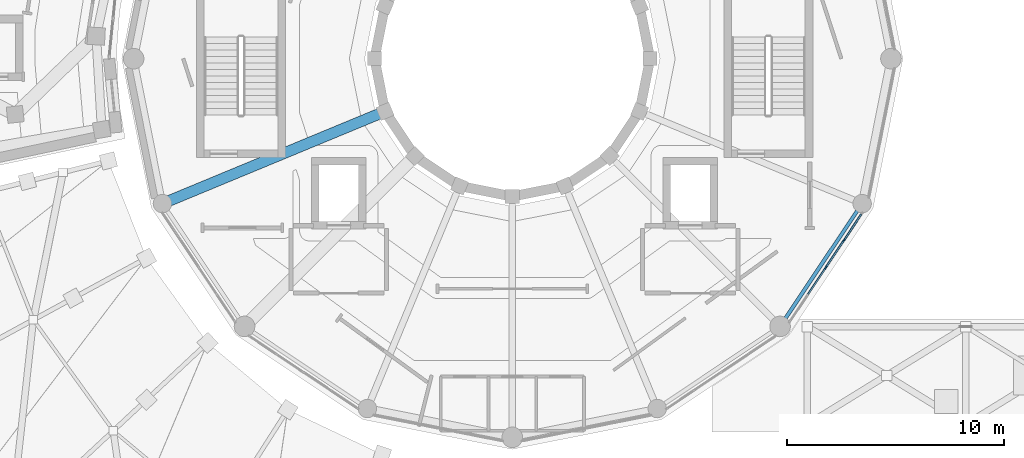
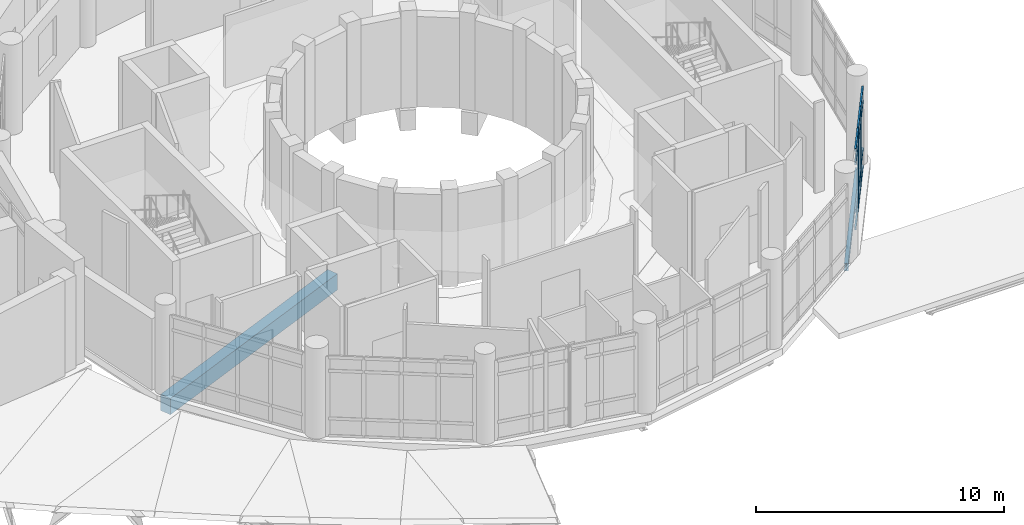
# One storey, part 10 of 75: 14 members, 2 beams, 1 element without a shape of its own.
"""IFC4 building model written with IfcOpenShell, lengths in metres."""

from ifc_helpers import new_model, si_unit, direction, frame, origin, origin_2d, place, context, subcontext, project, spatial, rectangle, i_section, extrude, material, material_profile, profile_set, type_object, element, aggregate, save


model = new_model("IFC4")

# Units and contexts
model_context = context("Model", 3, precision=1e-05, world=origin(), true_north=direction((0.0, 1.0)))
body_context = subcontext(model_context, "Body", "Model", "MODEL_VIEW")
ifc_project = project(units=[si_unit("LENGTHUNIT", "METRE"), si_unit("AREAUNIT", "SQUARE_METRE"), si_unit("VOLUMEUNIT", "CUBIC_METRE"), si_unit("PLANEANGLEUNIT", "RADIAN"), si_unit("MASSUNIT", "GRAM", prefix="KILO")], contexts=[model_context])

# Site, building, storey
site_placement = place(None, origin())
site = spatial("IfcSite", under=ifc_project, at=site_placement, CompositionType="ELEMENT")
building_placement = place(site_placement, origin())
building = spatial("IfcBuilding", under=site, at=building_placement, Name="Soyqirgoq Riverine Aquarium", CompositionType="ELEMENT")
storey_placement = place(building_placement, frame((0.0, 0.0, 10.199951171875)))
storey = spatial("IfcBuildingStorey", under=building, at=storey_placement, Name="L03", CompositionType="ELEMENT", Elevation=10.199951171875)

# Curtain wall, members
ifc_material_1 = material(Name="Anodised aluminium thermally broken triple low-E glazing", Category="aluminium")
curtain_wall_type = type_object("IfcCurtainWallType", Name="CW_DrumGallery_Unitised", PredefinedType="NOTDEFINED", material=ifc_material_1)
curtain_wall_placement = place(storey_placement, origin())
curtain_wall = element("IfcCurtainWall", 1, at=curtain_wall_placement, inside=storey, type_object=curtain_wall_type, Name="V1 L03 Curtain Wall 067", PredefinedType="NOTDEFINED")
ifc_material_2 = material(Name="Anodised aluminium 6063-T6", Category="aluminium")
ifc_material_profile_1 = material_profile(ifc_material_2, rectangle(XDim=0.06494140625, YDim=0.179931640625, at=origin_2d()), Name="ALU-M 65x180")
ifc_profile_set_1 = profile_set([ifc_material_profile_1], Name="Anodised aluminium 6063-T6")
member_type_1 = type_object("IfcMemberType", Name="CWMullion_65x180", PredefinedType="MULLION", material=ifc_profile_set_1)
member_1_placement = place(storey_placement, frame((70.450439453125, 47.379638671875, 0.0), z_axis=(0.0, 0.0, 1.0), x_axis=(-0.831468565541, 0.555571799605, 0.0)))
member_1 = element("IfcMember", 2, at=member_1_placement, type_object=member_type_1, Name="CW-01 mullion 3", PredefinedType="MULLION", context=body_context, shape_type="SweptSolid", body=[
    extrude(rectangle(XDim=0.06494140625, YDim=0.179931640625, at=origin_2d()), origin(), (0.0, 0.0, 1.0), 3.949951171875),
])
member_2_placement = place(storey_placement, frame((71.284912109375, 48.62841796875, 0.0), z_axis=(0.0, 0.0, 1.0), x_axis=(-0.831468565541, 0.555571799605, 0.0)))
member_2 = element("IfcMember", 3, at=member_2_placement, type_object=member_type_1, Name="CW-01 mullion 4", PredefinedType="MULLION", context=body_context, shape_type="SweptSolid", body=[
    extrude(rectangle(XDim=0.06494140625, YDim=0.179931640625, at=origin_2d()), origin(), (0.0, 0.0, 1.0), 3.949951171875),
])
ifc_material_3 = material(Name="Anodised aluminium 6063-T6", Category="aluminium")
ifc_material_profile_2 = material_profile(ifc_material_3, rectangle(XDim=0.074951171875, YDim=0.14990234375, at=origin_2d()), Name="ALU-T 75x150")
ifc_profile_set_2 = profile_set([ifc_material_profile_2], Name="Anodised aluminium 6063-T6")
member_type_2 = type_object("IfcMemberType", Name="CWTransom_75x150", PredefinedType="USERDEFINED", material=ifc_profile_set_2)
member_3_placement = place(storey_placement, frame((69.634033203125, 46.15771484375, 0.03759765625), z_axis=(0.55556245102, 0.831474812016, 0.0), x_axis=(-0.831474812016, 0.55556245102, 0.0)))
member_3 = element("IfcMember", 4, at=member_3_placement, type_object=member_type_2, Name="CW-01 transom 2.1", ObjectType="TRANSOM", PredefinedType="USERDEFINED", context=body_context, shape_type="SweptSolid", body=[
    extrude(rectangle(XDim=0.074951171875, YDim=0.14990234375, at=origin_2d()), origin(), (0.0, 0.0, 1.0), 1.43701171875),
])
member_4_placement = place(storey_placement, frame((69.634033203125, 46.15771484375, 0.900146484375), z_axis=(0.55556245102, 0.831474812016, 0.0), x_axis=(-0.831474812016, 0.55556245102, 0.0)))
member_4 = element("IfcMember", 5, at=member_4_placement, type_object=member_type_2, Name="CW-01 transom 2.2", ObjectType="TRANSOM", PredefinedType="USERDEFINED", context=body_context, shape_type="SweptSolid", body=[
    extrude(rectangle(XDim=0.074951171875, YDim=0.14990234375, at=origin_2d()), origin(), (0.0, 0.0, 1.0), 1.43701171875),
])
member_5_placement = place(storey_placement, frame((69.634033203125, 46.15771484375, 3.25), z_axis=(0.55556245102, 0.831474812016, 0.0), x_axis=(-0.831474812016, 0.55556245102, 0.0)))
member_5 = element("IfcMember", 6, at=member_5_placement, type_object=member_type_2, Name="CW-01 transom 2.3", ObjectType="TRANSOM", PredefinedType="USERDEFINED", context=body_context, shape_type="SweptSolid", body=[
    extrude(rectangle(XDim=0.074951171875, YDim=0.14990234375, at=origin_2d()), origin(), (0.0, 0.0, 1.0), 1.43701171875),
])
member_6_placement = place(storey_placement, frame((69.634033203125, 46.15771484375, 3.91259765625), z_axis=(0.55556245102, 0.831474812016, 0.0), x_axis=(-0.831474812016, 0.55556245102, 0.0)))
member_6 = element("IfcMember", 7, at=member_6_placement, type_object=member_type_2, Name="CW-01 transom 2.4", ObjectType="TRANSOM", PredefinedType="USERDEFINED", context=body_context, shape_type="SweptSolid", body=[
    extrude(rectangle(XDim=0.074951171875, YDim=0.14990234375, at=origin_2d()), origin(), (0.0, 0.0, 1.0), 1.43701171875),
])
member_7_placement = place(storey_placement, frame((70.468505859375, 47.406494140625, 0.03759765625), z_axis=(0.55556245102, 0.831474812016, 0.0), x_axis=(-0.831474812016, 0.55556245102, 0.0)))
member_7 = element("IfcMember", 8, at=member_7_placement, type_object=member_type_2, Name="CW-01 transom 3.1", ObjectType="TRANSOM", PredefinedType="USERDEFINED", context=body_context, shape_type="SweptSolid", body=[
    extrude(rectangle(XDim=0.074951171875, YDim=0.14990234375, at=origin_2d()), origin(), (0.0, 0.0, 1.0), 1.43701171875),
])
member_8_placement = place(storey_placement, frame((70.468505859375, 47.406494140625, 0.900146484375), z_axis=(0.55556245102, 0.831474812016, 0.0), x_axis=(-0.831474812016, 0.55556245102, 0.0)))
member_8 = element("IfcMember", 9, at=member_8_placement, type_object=member_type_2, Name="CW-01 transom 3.2", ObjectType="TRANSOM", PredefinedType="USERDEFINED", context=body_context, shape_type="SweptSolid", body=[
    extrude(rectangle(XDim=0.074951171875, YDim=0.14990234375, at=origin_2d()), origin(), (0.0, 0.0, 1.0), 1.43701171875),
])
member_9_placement = place(storey_placement, frame((70.468505859375, 47.406494140625, 3.25), z_axis=(0.55556245102, 0.831474812016, 0.0), x_axis=(-0.831474812016, 0.55556245102, 0.0)))
member_9 = element("IfcMember", 10, at=member_9_placement, type_object=member_type_2, Name="CW-01 transom 3.3", ObjectType="TRANSOM", PredefinedType="USERDEFINED", context=body_context, shape_type="SweptSolid", body=[
    extrude(rectangle(XDim=0.074951171875, YDim=0.14990234375, at=origin_2d()), origin(), (0.0, 0.0, 1.0), 1.43701171875),
])
member_10_placement = place(storey_placement, frame((70.468505859375, 47.406494140625, 3.91259765625), z_axis=(0.55556245102, 0.831474812016, 0.0), x_axis=(-0.831474812016, 0.55556245102, 0.0)))
member_10 = element("IfcMember", 11, at=member_10_placement, type_object=member_type_2, Name="CW-01 transom 3.4", ObjectType="TRANSOM", PredefinedType="USERDEFINED", context=body_context, shape_type="SweptSolid", body=[
    extrude(rectangle(XDim=0.074951171875, YDim=0.14990234375, at=origin_2d()), origin(), (0.0, 0.0, 1.0), 1.43701171875),
])
member_11_placement = place(storey_placement, frame((71.302978515625, 48.655517578125, 0.03759765625), z_axis=(0.555582440288, 0.831461455537, 0.0), x_axis=(-0.831461455537, 0.555582440288, 0.0)))
member_11 = element("IfcMember", 12, at=member_11_placement, type_object=member_type_2, Name="CW-01 transom 4.1", ObjectType="TRANSOM", PredefinedType="USERDEFINED", context=body_context, shape_type="SweptSolid", body=[
    extrude(rectangle(XDim=0.074951171875, YDim=0.14990234375, at=origin_2d()), origin(), (0.0, 0.0, 1.0), 1.404541015625),
])
member_12_placement = place(storey_placement, frame((71.302978515625, 48.655517578125, 0.900146484375), z_axis=(0.555582440288, 0.831461455537, 0.0), x_axis=(-0.831461455537, 0.555582440288, 0.0)))
member_12 = element("IfcMember", 13, at=member_12_placement, type_object=member_type_2, Name="CW-01 transom 4.2", ObjectType="TRANSOM", PredefinedType="USERDEFINED", context=body_context, shape_type="SweptSolid", body=[
    extrude(rectangle(XDim=0.074951171875, YDim=0.14990234375, at=origin_2d()), origin(), (0.0, 0.0, 1.0), 1.404541015625),
])
member_13_placement = place(storey_placement, frame((71.302978515625, 48.655517578125, 3.25), z_axis=(0.555582440288, 0.831461455537, 0.0), x_axis=(-0.831461455537, 0.555582440288, 0.0)))
member_13 = element("IfcMember", 14, at=member_13_placement, type_object=member_type_2, Name="CW-01 transom 4.3", ObjectType="TRANSOM", PredefinedType="USERDEFINED", context=body_context, shape_type="SweptSolid", body=[
    extrude(rectangle(XDim=0.074951171875, YDim=0.14990234375, at=origin_2d()), origin(), (0.0, 0.0, 1.0), 1.404541015625),
])
member_14_placement = place(storey_placement, frame((71.302978515625, 48.655517578125, 3.91259765625), z_axis=(0.555582440288, 0.831461455537, 0.0), x_axis=(-0.831461455537, 0.555582440288, 0.0)))
member_14 = element("IfcMember", 15, at=member_14_placement, type_object=member_type_2, Name="CW-01 transom 4.4", ObjectType="TRANSOM", PredefinedType="USERDEFINED", context=body_context, shape_type="SweptSolid", body=[
    extrude(rectangle(XDim=0.074951171875, YDim=0.14990234375, at=origin_2d()), origin(), (0.0, 0.0, 1.0), 1.404541015625),
])
aggregate(curtain_wall, [member_1, member_2, member_3, member_4, member_5, member_6, member_7, member_8, member_9, member_10, member_11, member_12, member_13, member_14])

# Beams
ifc_material_4 = material(Name="Concrete C40/50", Category="concrete")
ifc_material_profile_3 = material_profile(ifc_material_4, rectangle(XDim=0.5, YDim=0.800048828125, at=origin_2d()), Name="RC 500x800")
ifc_profile_set_3 = profile_set([ifc_material_profile_3], Name="Concrete C40/50")
beam_type_1 = type_object("IfcBeamType", Name="Girder_RC_500x800", PredefinedType="BEAM", material=ifc_profile_set_3)
beam_1_placement = place(storey_placement, frame((50.124267578125, 54.566162109375, -0.75), z_axis=(-0.923879335189, -0.382683908742, 0.0), x_axis=(0.382683908742, -0.923879335189, 0.0)))
element("IfcBeam", 16, at=beam_1_placement, inside=storey, type_object=beam_type_1, Name="V1 L03 Gallery Radial Beam 0076", PredefinedType="BEAM", context=body_context, shape_type="SweptSolid", body=[
    extrude(rectangle(XDim=0.5, YDim=0.800048828125, at=origin_2d()), origin(), (0.0, 0.0, 1.0), 11.080322265625),
])
ifc_material_5 = material(Name="Structural steel S355", Category="steel")
ifc_material_profile_4 = material_profile(ifc_material_5, i_section(OverallWidth=0.169921875, OverallDepth=0.360107421875, WebThickness=0.008056640625, FlangeThickness=0.0126953125, FilletRadius=0.01806640625, at=origin_2d()), Name="IPE 360")
ifc_profile_set_4 = profile_set([ifc_material_profile_4], Name="Structural steel S355")
beam_type_2 = type_object("IfcBeamType", Name="Spandrel_Steel_IPE360", PredefinedType="SPANDREL", material=ifc_profile_set_4)
beam_2_placement = place(storey_placement, frame((68.35009765625, 44.677490234375, -0.530029296875), z_axis=(0.555557213186, 0.83147831173, 0.0), x_axis=(-0.83147831173, 0.555557213186, 0.0)))
element("IfcBeam", 17, at=beam_2_placement, inside=storey, type_object=beam_type_2, Name="V1 L03 Drum Spandrel Beam 0085", PredefinedType="SPANDREL", context=body_context, shape_type="SweptSolid", body=[
    extrude(i_section(OverallWidth=0.169921875, OverallDepth=0.360107421875, WebThickness=0.008056640625, FlangeThickness=0.0126953125, FilletRadius=0.01806640625, at=origin_2d()), origin(), (0.0, 0.0, 1.0), 6.768798828125),
])

save(model, "model.ifc")
